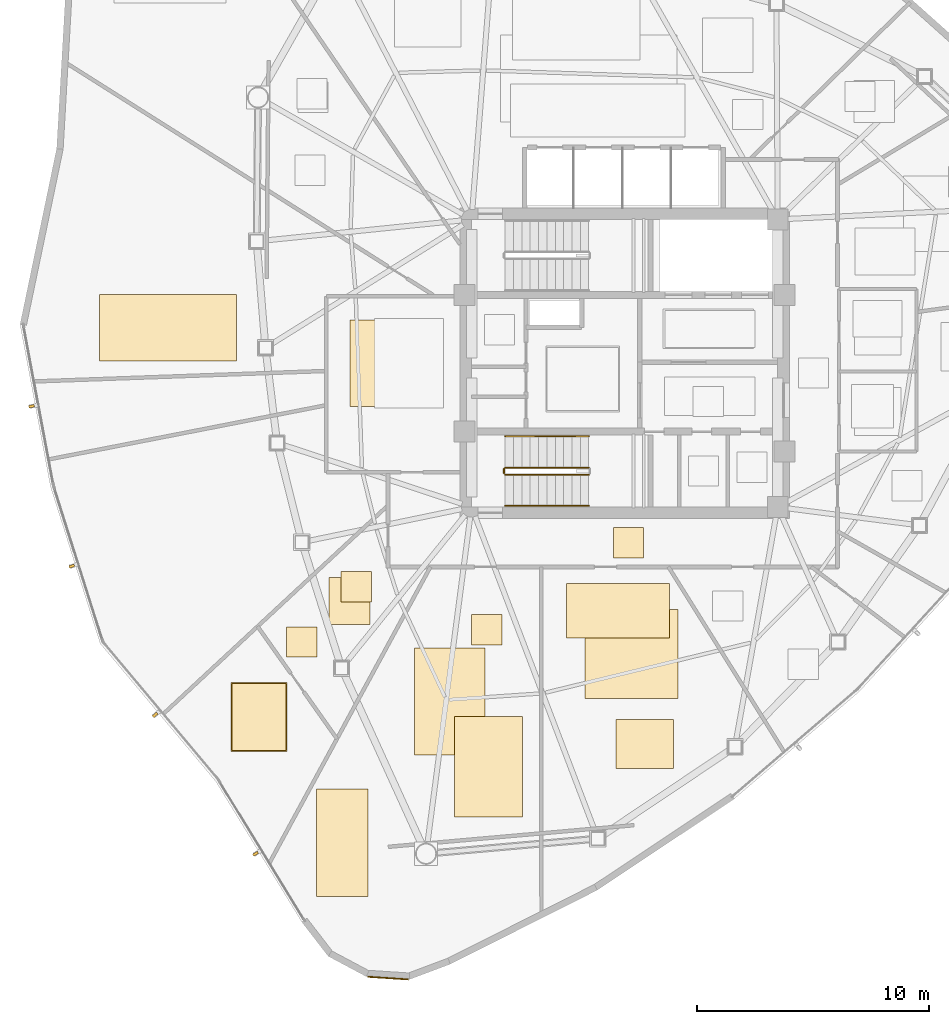
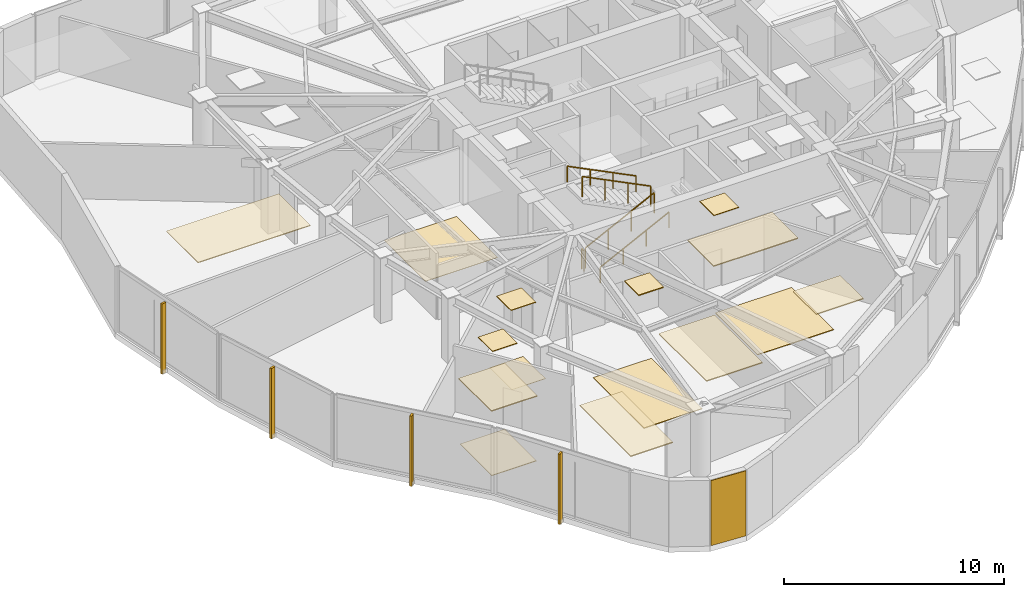
# One storey, part 11 of 13: 16 coverings, 5 railings, 4 shading devices.
"""IFC4 building model written with IfcOpenShell, lengths in metres."""

from ifc_helpers import new_model, si_unit, direction, frame, origin, origin_2d, place, context, subcontext, project, spatial, polyline, rectangle, outline, extrude, source, transform, mapped, material, layer, layer_set, type_object, type_shapes, element, save


model = new_model("IFC4")

# Units and contexts
model_context = context("Model", 3, precision=1e-05, world=origin(), true_north=direction((0.0, 1.0)))
body_context = subcontext(model_context, "Body", "Model", "MODEL_VIEW")
ifc_project = project(units=[si_unit("LENGTHUNIT", "METRE"), si_unit("AREAUNIT", "SQUARE_METRE"), si_unit("VOLUMEUNIT", "CUBIC_METRE"), si_unit("PLANEANGLEUNIT", "RADIAN"), si_unit("MASSUNIT", "GRAM", prefix="KILO")], contexts=[model_context])

# Site, building, storey
site_placement = place(None, origin())
site = spatial("IfcSite", under=ifc_project, at=site_placement, CompositionType="ELEMENT")
building_placement = place(site_placement, origin())
building = spatial("IfcBuilding", under=site, at=building_placement, Name="Tavelor Broadcast Tower", CompositionType="ELEMENT")
storey_placement = place(building_placement, frame((0.0, 0.0, 226.10009765625)))
storey = spatial("IfcBuildingStorey", under=building, at=storey_placement, Name="L53", CompositionType="ELEMENT", Elevation=226.10009765625)

# Covering
ifc_material_1 = material(Name="Copper-Bronze Anodized Aluminium", Category="aluminium")
ifc_layer_1 = layer(ifc_material_1, 0.050048828125)
ifc_layer_set_1 = layer_set([ifc_layer_1], Name="Copper-Bronze Anodized Aluminium")
covering_type_1 = type_object("IfcCoveringType", Name="Champagne-Bronze Corner Pier Metal Cladding 50 mm", PredefinedType="CLADDING", material=ifc_layer_set_1)
covering_1_placement = place(storey_placement, frame((39.797607421875, 18.4931640625, 0.02001953125), z_axis=(0.0, 0.0, 1.0), x_axis=(0.997858923239, -0.06540312923, 0.0)))
element("IfcCovering", 1, at=covering_1_placement, inside=storey, type_object=covering_type_1, Name="L53 Champagne-Bronze Corner Cladding 13", PredefinedType="CLADDING", context=body_context, shape_type="SweptSolid", body=[
    extrude(rectangle(XDim=1.765869140625, YDim=0.050048828125, at=origin_2d()), origin(), (0.0, 0.0, 1.0), 3.610107421875),
])

# Railings
ifc_material_2 = material(Name="Steel S355", Category="steel")
railing_type_1 = type_object("IfcRailingType", Name="Continuous Brushed Stainless Handrail 900 mm", PredefinedType="HANDRAIL", material=ifc_material_2)
railing_1_placement = place(storey_placement, frame((44.85009765625, 38.85009765625, 0.179443359375)))
element("IfcRailing", 2, at=railing_1_placement, inside=storey, type_object=railing_type_1, Name="L53 ST2 stair handrail 1", PredefinedType="HANDRAIL", context=body_context, shape_type="SweptSolid", body=[
    extrude(rectangle(XDim=0.048095703125, YDim=0.048095703125, at=origin_2d()), frame((0.0, 0.0, 0.8759765625), z_axis=(0.894875846893, 0.0, 0.446315156192), x_axis=(0.0, 1.0, 0.0)), (0.0, 0.0, 1.0), 4.022705078125),
    extrude(rectangle(XDim=0.0419921875, YDim=0.0419921875, at=origin_2d()), origin(), (0.0, 0.0, 1.0), 0.851806640625),
    extrude(rectangle(XDim=0.0419921875, YDim=0.0419921875, at=origin_2d()), frame((1.199951171875, 0.0, 0.598388671875)), (0.0, 0.0, 1.0), 0.851806640625),
    extrude(rectangle(XDim=0.0419921875, YDim=0.0419921875, at=origin_2d()), frame((2.39990234375, 0.0, 1.197021484375)), (0.0, 0.0, 1.0), 0.851806640625),
    extrude(rectangle(XDim=0.0419921875, YDim=0.0419921875, at=origin_2d()), frame((3.599853515625, 0.0, 1.79541015625)), (0.0, 0.0, 1.0), 0.851806640625),
])
railing_2_placement = place(storey_placement, frame((48.449951171875, 41.85009765625, 2.154541015625)))
element("IfcRailing", 3, at=railing_2_placement, inside=storey, type_object=railing_type_1, Name="L53 ST2 stair handrail 2", PredefinedType="HANDRAIL", context=body_context, shape_type="SweptSolid", body=[
    extrude(rectangle(XDim=0.048095703125, YDim=0.048095703125, at=origin_2d()), frame((0.0, 0.0, 0.8759765625), z_axis=(-0.894875846893, 0.0, 0.446315156192), x_axis=(0.0, -1.0, 0.0)), (0.0, 0.0, 1.0), 4.022705078125),
    extrude(rectangle(XDim=0.0419921875, YDim=0.0419921875, at=origin_2d()), origin(), (0.0, 0.0, 1.0), 0.851806640625),
    extrude(rectangle(XDim=0.0419921875, YDim=0.0419921875, at=origin_2d()), frame((-1.199951171875, 0.0, 0.598388671875)), (0.0, 0.0, 1.0), 0.851806640625),
    extrude(rectangle(XDim=0.0419921875, YDim=0.0419921875, at=origin_2d()), frame((-2.39990234375, 0.0, 1.197021484375)), (0.0, 0.0, 1.0), 0.851806640625),
    extrude(rectangle(XDim=0.0419921875, YDim=0.0419921875, at=origin_2d()), frame((-3.599853515625, 0.0, 1.79541015625)), (0.0, 0.0, 1.0), 0.851806640625),
])

# Coverings
ifc_material_3 = material(Name="Architectural Anodized Aluminium", Category="aluminium")
ifc_layer_2 = layer(ifc_material_3, 0.034912109375)
ifc_layer_set_2 = layer_set([ifc_layer_2], Name="Architectural Anodized Aluminium")
covering_type_2 = type_object("IfcCoveringType", Name="Demountable Metal Tile Corridor Ceiling 35 mm", PredefinedType="CEILING", material=ifc_layer_set_2)
covering_2_placement = place(storey_placement, frame((0.0, 0.0, 3.614990234375)))
element("IfcCovering", 4, at=covering_2_placement, inside=storey, type_object=covering_type_2, Name="L53 Suspended Acoustic Ceiling 2104", PredefinedType="CEILING", context=body_context, shape_type="SweptSolid", body=[
    extrude(outline(polyline([(49.510498046875, 36.610107421875), (50.810302734375, 36.610107421875), (50.810302734375, 37.909912109375), (49.510498046875, 37.909912109375), (49.510498046875, 36.610107421875)])), origin(), (0.0, 0.0, 1.0), 0.034912109375),
])
ifc_material_4 = material(Name="Acoustic Nylon Carpet Tile")
ifc_layer_3 = layer(ifc_material_4, 0.02001953125)
ifc_layer_set_3 = layer_set([ifc_layer_3], Name="Acoustic Nylon Carpet Tile")
covering_type_3 = type_object("IfcCoveringType", Name="Heavy-Duty Acoustic Broadcast Carpet Tile 20 mm", PredefinedType="FLOORING", material=ifc_layer_set_3)
covering_3_placement = place(storey_placement, origin())
element("IfcCovering", 5, at=covering_3_placement, inside=storey, type_object=covering_type_3, Name="L53 Broadcast Floor Finish 0773", PredefinedType="FLOORING", context=body_context, shape_type="SweptSolid", body=[
    extrude(outline(polyline([(38.15771484375, 43.12890625), (41.942138671875, 43.12890625), (41.942138671875, 46.87060546875), (38.15771484375, 46.87060546875), (38.15771484375, 43.12890625)])), origin(), (0.0, 0.0, 1.0), 0.02001953125),
])
covering_4_placement = place(storey_placement, origin())
element("IfcCovering", 6, at=covering_4_placement, inside=storey, type_object=covering_type_3, Name="L53 Broadcast Floor Finish 0785", PredefinedType="FLOORING", context=body_context, shape_type="SweptSolid", body=[
    extrude(outline(polyline([(37.263916015625, 33.73583984375), (39.029052734375, 33.73583984375), (39.029052734375, 35.767578125), (37.263916015625, 35.767578125), (37.263916015625, 33.73583984375)])), origin(), (0.0, 0.0, 1.0), 0.02001953125),
])
ifc_material_5 = material(Name="Acoustic Hardwood Studio Flooring", Category="wood")
ifc_layer_4 = layer(ifc_material_5, 0.034912109375)
ifc_layer_set_4 = layer_set([ifc_layer_4], Name="Acoustic Hardwood Studio Flooring")
covering_type_4 = type_object("IfcCoveringType", Name="Isolated Studio Acoustic Elastomeric Floor Finish 35 mm", PredefinedType="FLOORING", material=ifc_layer_set_4)
covering_5_placement = place(storey_placement, origin())
element("IfcCovering", 7, at=covering_5_placement, inside=storey, type_object=covering_type_4, Name="L53 Broadcast Floor Finish 0777", PredefinedType="FLOORING", context=body_context, shape_type="SweptSolid", body=[
    extrude(outline(polyline([(48.294189453125, 30.550537109375), (52.29296875, 30.550537109375), (52.29296875, 34.385986328125), (48.294189453125, 34.385986328125), (48.294189453125, 30.550537109375)])), origin(), (0.0, 0.0, 1.0), 0.034912109375),
])
covering_6_placement = place(storey_placement, origin())
element("IfcCovering", 8, at=covering_6_placement, inside=storey, type_object=covering_type_4, Name="L53 Broadcast Floor Finish 0778", PredefinedType="FLOORING", context=body_context, shape_type="SweptSolid", body=[
    extrude(outline(polyline([(40.93408203125, 28.10791015625), (43.988037109375, 28.10791015625), (43.988037109375, 32.713134765625), (40.93408203125, 32.713134765625), (40.93408203125, 28.10791015625)])), origin(), (0.0, 0.0, 1.0), 0.034912109375),
])
covering_7_placement = place(storey_placement, origin())
element("IfcCovering", 9, at=covering_7_placement, inside=storey, type_object=covering_type_4, Name="L53 Broadcast Floor Finish 0779", PredefinedType="FLOORING", context=body_context, shape_type="SweptSolid", body=[
    extrude(outline(polyline([(33.07470703125, 28.303955078125), (35.410400390625, 28.303955078125), (35.410400390625, 31.185546875), (33.07470703125, 31.185546875), (33.07470703125, 28.303955078125)])), origin(), (0.0, 0.0, 1.0), 0.034912109375),
])
ifc_material_6 = material(Name="Acoustic Perforated Timber Baffle", Category="wood")
ifc_layer_5 = layer(ifc_material_6, 0.054931640625)
ifc_layer_set_5 = layer_set([ifc_layer_5], Name="Acoustic Perforated Timber Baffle")
covering_type_5 = type_object("IfcCoveringType", Name="Micro-Perforated Acoustic Baffle Studio Ceiling 55 mm", PredefinedType="CEILING", material=ifc_layer_set_5)
covering_8_placement = place(storey_placement, frame((0.0, 0.0, 3.594970703125)))
element("IfcCovering", 10, at=covering_8_placement, inside=storey, type_object=covering_type_5, Name="L53 Suspended Acoustic Ceiling 2109", PredefinedType="CEILING", context=body_context, shape_type="SweptSolid", body=[
    extrude(outline(polyline([(49.621337890625, 27.534423828125), (52.103271484375, 27.534423828125), (52.103271484375, 29.63330078125), (49.621337890625, 29.63330078125), (49.621337890625, 27.534423828125)])), origin(), (0.0, 0.0, 1.0), 0.054931640625),
])
covering_9_placement = place(storey_placement, frame((0.0, 0.0, 3.594970703125)))
element("IfcCovering", 11, at=covering_9_placement, inside=storey, type_object=covering_type_5, Name="L53 Suspended Acoustic Ceiling 2110", PredefinedType="CEILING", context=body_context, shape_type="SweptSolid", body=[
    extrude(outline(polyline([(47.50390625, 33.15478515625), (51.9296875, 33.15478515625), (51.9296875, 35.51416015625), (47.50390625, 35.51416015625), (47.50390625, 33.15478515625)])), origin(), (0.0, 0.0, 1.0), 0.054931640625),
])
covering_10_placement = place(storey_placement, frame((0.0, 0.0, 3.594970703125)))
element("IfcCovering", 12, at=covering_10_placement, inside=storey, type_object=covering_type_5, Name="L53 Suspended Acoustic Ceiling 2111", PredefinedType="CEILING", context=body_context, shape_type="SweptSolid", body=[
    extrude(outline(polyline([(36.724365234375, 22.013671875), (38.9296875, 22.013671875), (38.9296875, 26.647705078125), (36.724365234375, 26.647705078125), (36.724365234375, 22.013671875)])), origin(), (0.0, 0.0, 1.0), 0.054931640625),
])
covering_11_placement = place(storey_placement, frame((0.0, 0.0, 3.594970703125)))
element("IfcCovering", 13, at=covering_11_placement, inside=storey, type_object=covering_type_5, Name="L53 Suspended Acoustic Ceiling 2112", PredefinedType="CEILING", context=body_context, shape_type="SweptSolid", body=[
    extrude(outline(polyline([(43.405517578125, 32.857421875), (44.70556640625, 32.857421875), (44.70556640625, 34.157470703125), (43.405517578125, 34.157470703125), (43.405517578125, 32.857421875)])), origin(), (0.0, 0.0, 1.0), 0.054931640625),
])
covering_12_placement = place(storey_placement, frame((0.0, 0.0, 3.594970703125)))
element("IfcCovering", 14, at=covering_12_placement, inside=storey, type_object=covering_type_5, Name="L53 Suspended Acoustic Ceiling 2113", PredefinedType="CEILING", context=body_context, shape_type="SweptSolid", body=[
    extrude(outline(polyline([(42.672607421875, 25.443603515625), (45.606201171875, 25.443603515625), (45.606201171875, 29.771484375), (42.672607421875, 29.771484375), (42.672607421875, 25.443603515625)])), origin(), (0.0, 0.0, 1.0), 0.054931640625),
])
covering_13_placement = place(storey_placement, frame((0.0, 0.0, 3.594970703125)))
element("IfcCovering", 15, at=covering_13_placement, inside=storey, type_object=covering_type_5, Name="L53 Suspended Acoustic Ceiling 2114", PredefinedType="CEILING", context=body_context, shape_type="SweptSolid", body=[
    extrude(outline(polyline([(33.031982421875, 28.27001953125), (35.44775390625, 28.27001953125), (35.44775390625, 31.2431640625), (33.031982421875, 31.2431640625), (33.031982421875, 28.27001953125)])), origin(), (0.0, 0.0, 1.0), 0.054931640625),
])

# Railings
railing_type_2 = type_object("IfcRailingType", Name="Stairwell Steel Safety Guardrail 1150 mm", PredefinedType="GUARDRAIL", material=ifc_material_2)
railing_3_placement = place(storey_placement, frame((44.85009765625, 40.199951171875, 0.179443359375)))
element("IfcRailing", 16, at=railing_3_placement, inside=storey, type_object=railing_type_2, Name="L53 ST2 stair guard 1", PredefinedType="GUARDRAIL", context=body_context, shape_type="SweptSolid", body=[
    extrude(rectangle(XDim=0.048095703125, YDim=0.048095703125, at=origin_2d()), frame((0.0, 0.0, 1.1259765625), z_axis=(0.894875846893, 0.0, 0.446315156192), x_axis=(0.0, 1.0, 0.0)), (0.0, 0.0, 1.0), 4.022705078125),
    extrude(rectangle(XDim=0.0419921875, YDim=0.0419921875, at=origin_2d()), origin(), (0.0, 0.0, 1.0), 1.101806640625),
    extrude(rectangle(XDim=0.0419921875, YDim=0.0419921875, at=origin_2d()), frame((1.199951171875, 0.0, 0.598388671875)), (0.0, 0.0, 1.0), 1.101806640625),
    extrude(rectangle(XDim=0.0419921875, YDim=0.0419921875, at=origin_2d()), frame((2.39990234375, 0.0, 1.197021484375)), (0.0, 0.0, 1.0), 1.101806640625),
    extrude(rectangle(XDim=0.0419921875, YDim=0.0419921875, at=origin_2d()), frame((3.599853515625, 0.0, 1.79541015625)), (0.0, 0.0, 1.0), 1.101806640625),
])
railing_4_placement = place(storey_placement, frame((48.449951171875, 40.5, 2.154541015625)))
element("IfcRailing", 17, at=railing_4_placement, inside=storey, type_object=railing_type_2, Name="L53 ST2 stair guard 3", PredefinedType="GUARDRAIL", context=body_context, shape_type="SweptSolid", body=[
    extrude(rectangle(XDim=0.048095703125, YDim=0.048095703125, at=origin_2d()), frame((0.0, 0.0, 1.1259765625), z_axis=(-0.894875846893, 0.0, 0.446315156192), x_axis=(0.0, -1.0, 0.0)), (0.0, 0.0, 1.0), 4.022705078125),
    extrude(rectangle(XDim=0.0419921875, YDim=0.0419921875, at=origin_2d()), origin(), (0.0, 0.0, 1.0), 1.101806640625),
    extrude(rectangle(XDim=0.0419921875, YDim=0.0419921875, at=origin_2d()), frame((-1.199951171875, 0.0, 0.598388671875)), (0.0, 0.0, 1.0), 1.101806640625),
    extrude(rectangle(XDim=0.0419921875, YDim=0.0419921875, at=origin_2d()), frame((-2.39990234375, 0.0, 1.197021484375)), (0.0, 0.0, 1.0), 1.101806640625),
    extrude(rectangle(XDim=0.0419921875, YDim=0.0419921875, at=origin_2d()), frame((-3.599853515625, 0.0, 1.79541015625)), (0.0, 0.0, 1.0), 1.101806640625),
])
railing_5_placement = place(storey_placement, frame((44.800048828125, 40.25, 0.0)))
element("IfcRailing", 18, at=railing_5_placement, inside=storey, type_object=railing_type_2, Name="L53 ST2 stair guard 4", PredefinedType="GUARDRAIL", context=body_context, shape_type="SweptSolid", body=[
    extrude(rectangle(XDim=0.048095703125, YDim=0.048095703125, at=origin_2d()), frame((0.0, 0.0, 1.1259765625), z_axis=(0.0, 1.0, 0.0), x_axis=(-1.0, 0.0, 0.0)), (0.0, 0.0, 1.0), 0.199951171875),
    extrude(rectangle(XDim=0.0419921875, YDim=0.0419921875, at=origin_2d()), origin(), (0.0, 0.0, 1.0), 1.101806640625),
    extrude(rectangle(XDim=0.0419921875, YDim=0.0419921875, at=origin_2d()), frame((0.0, 0.199951171875, 0.0)), (0.0, 0.0, 1.0), 1.101806640625),
])

# Coverings
ifc_material_7 = material(Name="Acoustic Mineral Fibre Tile")
ifc_layer_6 = layer(ifc_material_7, 0.0400390625)
ifc_layer_set_6 = layer_set([ifc_layer_6], Name="Acoustic Mineral Fibre Tile")
covering_type_6 = type_object("IfcCoveringType", Name="Suspended Acoustic Mineral-Fibre Office Ceiling 40 mm", PredefinedType="CEILING", material=ifc_layer_set_6)
covering_14_placement = place(storey_placement, frame((0.0, 0.0, 3.60986328125)))
element("IfcCovering", 19, at=covering_14_placement, inside=storey, type_object=covering_type_6, Name="L53 Suspended Acoustic Ceiling 2115", PredefinedType="CEILING", context=body_context, shape_type="SweptSolid", body=[
    extrude(outline(polyline([(27.370849609375, 45.09326171875), (33.26220703125, 45.09326171875), (33.26220703125, 47.972900390625), (27.370849609375, 47.972900390625), (27.370849609375, 45.09326171875)])), origin(), (0.0, 0.0, 1.0), 0.0400390625),
])
covering_15_placement = place(storey_placement, frame((0.0, 0.0, 3.60986328125)))
element("IfcCovering", 20, at=covering_15_placement, inside=storey, type_object=covering_type_6, Name="L53 Suspended Acoustic Ceiling 2131", PredefinedType="CEILING", context=body_context, shape_type="SweptSolid", body=[
    extrude(outline(polyline([(37.779541015625, 34.71630859375), (39.07958984375, 34.71630859375), (39.07958984375, 36.016357421875), (37.779541015625, 36.016357421875), (37.779541015625, 34.71630859375)])), origin(), (0.0, 0.0, 1.0), 0.0400390625),
])
covering_16_placement = place(storey_placement, frame((0.0, 0.0, 3.60986328125)))
element("IfcCovering", 21, at=covering_16_placement, inside=storey, type_object=covering_type_6, Name="L53 Suspended Acoustic Ceiling 2132", PredefinedType="CEILING", context=body_context, shape_type="SweptSolid", body=[
    extrude(outline(polyline([(35.4326171875, 32.3291015625), (36.732421875, 32.3291015625), (36.732421875, 33.62890625), (35.4326171875, 33.62890625), (35.4326171875, 32.3291015625)])), origin(), (0.0, 0.0, 1.0), 0.0400390625),
])

# Shading devices
ifc_material_8 = material(Name="Kiln-Fired Glazed Terracotta", Category="masonry")
shading_device_type = type_object("IfcShadingDeviceType", Name="Extruded Terracotta Baguette Sun-Screen 110x240", PredefinedType="JALOUSIE", material=ifc_material_8)
shared_shape = source(origin(), body_context, "Body", "SweptSolid", [
    extrude(rectangle(XDim=0.110107421875, YDim=0.239990234375, at=origin_2d()), origin(), (0.0, 0.0, 1.0), 3.889892578125),
])
type_shapes(shading_device_type, [shared_shape])
for number, where, z_axis, x_axis, name in (
    (22, (24.430908203125, 43.146240234375, -0.26025390625), (0.0, 0.0, 1.0), (0.184294448562, -0.982871078132, 0.0), "L53 Terracotta Baguette Fin 541"),
    (23, (26.16259765625, 36.252197265625, -0.26025390625), (0.0, 0.0, 1.0), (0.302037146025, -0.953296156722, 0.0), "L53 Terracotta Baguette Fin 542"),
    (24, (29.757080078125, 29.837646484375, -0.26025390625), (0.0, 0.0, 1.0), (0.642252653177, -0.766493006809, 0.0), "L53 Terracotta Baguette Fin 543"),
    (25, (34.089599609375, 23.853759765625, -0.26025390625), (0.0, 0.0, 1.0), (0.522200905326, -0.85282249881, 0.0), "L53 Terracotta Baguette Fin 544"),
):
    element("IfcShadingDevice", number, at=place(storey_placement, frame(where, z_axis=z_axis, x_axis=x_axis)), inside=storey, type_object=shading_device_type, Name=name, PredefinedType="JALOUSIE", context=body_context, shape_type="MappedRepresentation", body=[
        mapped(shared_shape, transform((0.0, 0.0, 0.0), scale=1.0)),
    ])

save(model, "model.ifc")
